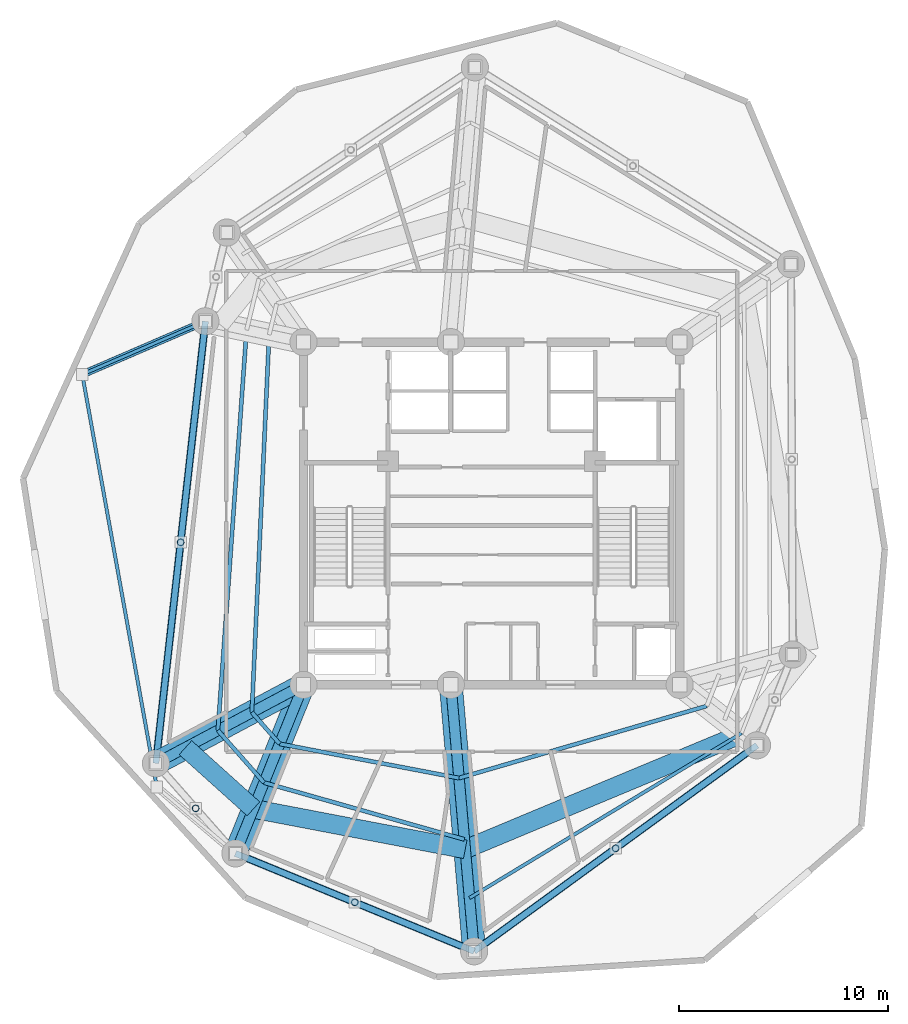
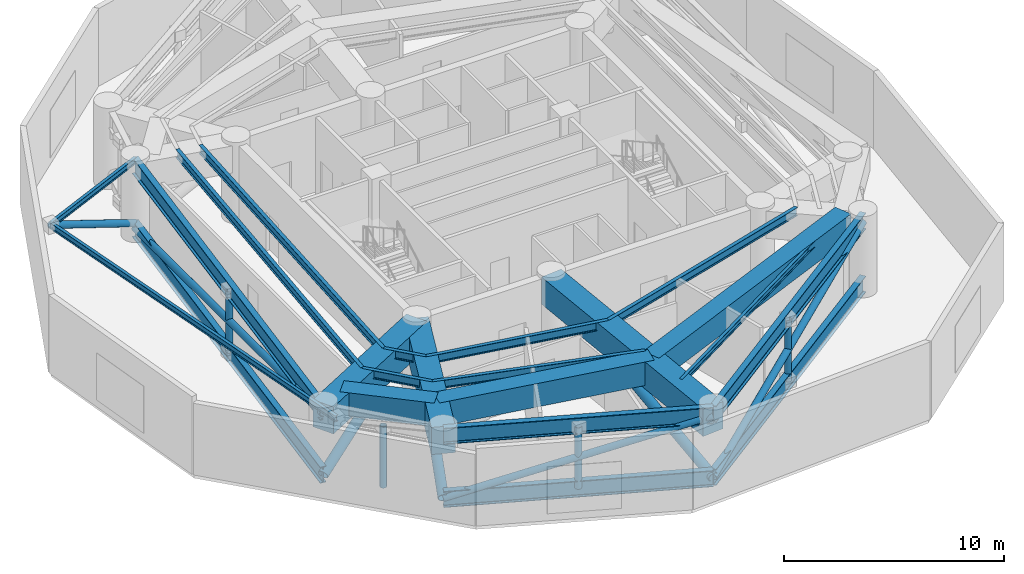
# One storey, part 2 of 11: 19 beams, 14 members.
"""IFC4 building model written with IfcOpenShell, lengths in metres."""

from ifc_helpers import new_model, si_unit, direction, frame, origin, origin_with_axes, origin_2d, place, context, subcontext, project, spatial, rectangle, hollow_circle, i_section, extrude, source, transform, mapped, material, material_profile, profile_set, type_object, element, save


model = new_model("IFC4")

# Units and contexts
model_context = context("Model", 3, precision=1e-05, world=origin(), true_north=direction((0.0, 1.0)))
body_context = subcontext(model_context, "Body", "Model", "MODEL_VIEW")
ifc_project = project(units=[si_unit("LENGTHUNIT", "METRE"), si_unit("AREAUNIT", "SQUARE_METRE"), si_unit("VOLUMEUNIT", "CUBIC_METRE"), si_unit("PLANEANGLEUNIT", "RADIAN"), si_unit("MASSUNIT", "GRAM", prefix="KILO")], contexts=[model_context])

# Site, building, storey
site_placement = place(None, origin())
site = spatial("IfcSite", under=ifc_project, at=site_placement, CompositionType="ELEMENT")
building_placement = place(site_placement, origin())
building = spatial("IfcBuilding", under=site, at=building_placement, Name="Karkom Vertical University and Central Library", CompositionType="ELEMENT")
storey_placement = place(building_placement, frame((0.0, 0.0, 208.39990234375)))
storey = spatial("IfcBuildingStorey", under=building, at=storey_placement, Name="P61", CompositionType="ELEMENT", Elevation=208.39990234375)

# Beams
ifc_material_1 = material(Name="Steel S355", Category="steel")
ifc_material_profile_1 = material_profile(ifc_material_1, i_section(OverallWidth=0.18994140625, OverallDepth=0.449951171875, WebThickness=0.009521484375, FlangeThickness=0.0146484375, FilletRadius=0.02099609375, at=origin_2d()), Name="IPE 450")
ifc_profile_set_1 = profile_set([ifc_material_profile_1], Name="Steel S355")
beam_type_1 = type_object("IfcBeamType", Name="STR-BM-SB-IPE450", PredefinedType="BEAM", material=ifc_profile_set_1)
shared_shape_1 = source(origin_with_axes(), body_context, "Body", "SweptSolid", [
    extrude(i_section(OverallWidth=0.18994140625, OverallDepth=0.449951171875, WebThickness=0.009521484375, FlangeThickness=0.0146484375, FilletRadius=0.02099609375, at=origin_2d()), origin(), (0.0, 0.0, 1.0), 18.0830078125),
])
beam_1_placement = place(storey_placement, frame((17.856689453125, 35.04931640625, 4.0751953125), z_axis=(-0.04584982532, -0.998948343769, 0.0), x_axis=(0.998948343769, -0.04584982532, 0.0)))
element("IfcBeam", 1, at=beam_1_placement, inside=storey, type_object=beam_type_1, Name="Plant Level 61 Secondary Composite Floor Beam 1.05", PredefinedType="BEAM", context=body_context, shape_type="MappedRepresentation", body=[
    mapped(shared_shape_1, transform((0.0, 0.0, 0.0), scale=1.0)),
])
shared_shape_2 = source(origin_with_axes(), body_context, "Body", "SweptSolid", [
    extrude(i_section(OverallWidth=0.18994140625, OverallDepth=0.449951171875, WebThickness=0.009521484375, FlangeThickness=0.0146484375, FilletRadius=0.02099609375, at=origin_2d()), origin(), (0.0, 0.0, 1.0), 2.01220703125),
])
beam_2_placement = place(storey_placement, frame((17.027587890625, 16.9853515625, 4.0751953125), z_axis=(0.661822246424, -0.749660799387, 0.0), x_axis=(0.749660799387, 0.661822246424, 0.0)))
element("IfcBeam", 2, at=beam_2_placement, inside=storey, type_object=beam_type_1, Name="Plant Level 61 Secondary Composite Floor Beam 1.06", PredefinedType="BEAM", context=body_context, shape_type="MappedRepresentation", body=[
    mapped(shared_shape_2, transform((0.0, 0.0, 0.0), scale=1.0)),
])
shared_shape_3 = source(origin_with_axes(), body_context, "Body", "SweptSolid", [
    extrude(i_section(OverallWidth=0.18994140625, OverallDepth=0.449951171875, WebThickness=0.009521484375, FlangeThickness=0.0146484375, FilletRadius=0.02099609375, at=origin_2d()), origin(), (0.0, 0.0, 1.0), 8.736572265625),
])
beam_3_placement = place(storey_placement, frame((18.359375, 15.476806640625, 4.0751953125), z_axis=(0.982230782932, -0.187677087205, 0.0), x_axis=(0.187677087205, 0.982230782932, 0.0)))
element("IfcBeam", 3, at=beam_3_placement, inside=storey, type_object=beam_type_1, Name="Plant Level 61 Secondary Composite Floor Beam 1.07", PredefinedType="BEAM", context=body_context, shape_type="MappedRepresentation", body=[
    mapped(shared_shape_3, transform((0.0, 0.0, 0.0), scale=1.0)),
])
shared_shape_4 = source(origin_with_axes(), body_context, "Body", "SweptSolid", [
    extrude(i_section(OverallWidth=0.18994140625, OverallDepth=0.449951171875, WebThickness=0.009521484375, FlangeThickness=0.0146484375, FilletRadius=0.02099609375, at=origin_2d()), origin(), (0.0, 0.0, 1.0), 12.347412109375),
])
beam_4_placement = place(storey_placement, frame((26.940673828125, 13.837158203125, 4.0751953125), z_axis=(0.960173212987, 0.279405442077, 0.0), x_axis=(-0.279405442077, 0.960173212987, 0.0)))
element("IfcBeam", 4, at=beam_4_placement, inside=storey, type_object=beam_type_1, Name="Plant Level 61 Secondary Composite Floor Beam 1.08", PredefinedType="BEAM", context=body_context, shape_type="MappedRepresentation", body=[
    mapped(shared_shape_4, transform((0.0, 0.0, 0.0), scale=1.0)),
])
shared_shape_5 = source(origin_with_axes(), body_context, "Body", "SweptSolid", [
    extrude(i_section(OverallWidth=0.18994140625, OverallDepth=0.449951171875, WebThickness=0.009521484375, FlangeThickness=0.0146484375, FilletRadius=0.02099609375, at=origin_2d()), origin(), (0.0, 0.0, 1.0), 19.20654296875),
])
beam_5_placement = place(storey_placement, frame((16.77685546875, 35.27880859375, 4.0751953125), z_axis=(-0.071539731632, -0.997437750839, 0.0), x_axis=(0.997437750839, -0.071539731632, 0.0)))
element("IfcBeam", 5, at=beam_5_placement, inside=storey, type_object=beam_type_1, Name="Plant Level 61 Secondary Composite Floor Beam 2.05", PredefinedType="BEAM", context=body_context, shape_type="MappedRepresentation", body=[
    mapped(shared_shape_5, transform((0.0, 0.0, 0.0), scale=1.0)),
])
shared_shape_6 = source(origin_with_axes(), body_context, "Body", "SweptSolid", [
    extrude(i_section(OverallWidth=0.18994140625, OverallDepth=0.449951171875, WebThickness=0.009521484375, FlangeThickness=0.0146484375, FilletRadius=0.02099609375, at=origin_2d()), origin(), (0.0, 0.0, 1.0), 3.334716796875),
])
beam_6_placement = place(storey_placement, frame((15.40283203125, 16.12158203125, 4.0751953125), z_axis=(0.661815321502, -0.749666912852, 0.0), x_axis=(0.749666912852, 0.661815321502, 0.0)))
element("IfcBeam", 6, at=beam_6_placement, inside=storey, type_object=beam_type_1, Name="Plant Level 61 Secondary Composite Floor Beam 2.06", PredefinedType="BEAM", context=body_context, shape_type="MappedRepresentation", body=[
    mapped(shared_shape_6, transform((0.0, 0.0, 0.0), scale=1.0)),
])
shared_shape_7 = source(origin_with_axes(), body_context, "Body", "SweptSolid", [
    extrude(i_section(OverallWidth=0.18994140625, OverallDepth=0.449951171875, WebThickness=0.009521484375, FlangeThickness=0.0146484375, FilletRadius=0.02099609375, at=origin_2d()), origin(), (0.0, 0.0, 1.0), 9.965087890625),
])
beam_7_placement = place(storey_placement, frame((17.60986328125, 13.62158203125, 4.0751953125), z_axis=(0.962104232935, -0.272681948372, 0.0), x_axis=(0.272681948372, 0.962104232935, 0.0)))
element("IfcBeam", 7, at=beam_7_placement, inside=storey, type_object=beam_type_1, Name="Plant Level 61 Secondary Composite Floor Beam 2.07", PredefinedType="BEAM", context=body_context, shape_type="MappedRepresentation", body=[
    mapped(shared_shape_7, transform((0.0, 0.0, 0.0), scale=1.0)),
])
ifc_material_profile_2 = material_profile(ifc_material_1, i_section(OverallWidth=0.159912109375, OverallDepth=0.330078125, WebThickness=0.007568359375, FlangeThickness=0.011474609375, FilletRadius=0.01806640625, at=origin_2d()), Name="IPE 330")
ifc_profile_set_2 = profile_set([ifc_material_profile_2], Name="Steel S355")
beam_type_2 = type_object("IfcBeamType", Name="STR-BM-SB-IPE330", PredefinedType="BEAM", material=ifc_profile_set_2)
shared_shape_8 = source(origin_with_axes(), body_context, "Body", "SweptSolid", [
    extrude(i_section(OverallWidth=0.159912109375, OverallDepth=0.330078125, WebThickness=0.007568359375, FlangeThickness=0.011474609375, FilletRadius=0.01806640625, at=origin_2d()), origin(), (0.0, 0.0, 1.0), 15.22216796875),
])
beam_8_placement = place(storey_placement, frame((27.44287109375, 8.09912109375, 4.135009765625), z_axis=(0.855352900974, 0.518045765155, 0.0), x_axis=(-0.518045765155, 0.855352900974, 0.0)))
element("IfcBeam", 8, at=beam_8_placement, inside=storey, type_object=beam_type_2, Name="Plant Level 61 Secondary Composite Floor Beam 3.08", PredefinedType="BEAM", context=body_context, shape_type="MappedRepresentation", body=[
    mapped(shared_shape_8, transform((0.0, 0.0, 0.0), scale=1.0)),
])
ifc_material_2 = material(Name="Concrete C50/60", Category="concrete")
ifc_material_profile_3 = material_profile(ifc_material_2, rectangle(XDim=1.10009765625, YDim=1.5, at=origin_2d()), Name="TG-1100x1500")
ifc_profile_set_3 = profile_set([ifc_material_profile_3], Name="Concrete C50/60")
beam_type_3 = type_object("IfcBeamType", Name="STR-BM-TG-1", PredefinedType="USERDEFINED", material=ifc_profile_set_3)
shared_shape_9 = source(origin_with_axes(), body_context, "Body", "SweptSolid", [
    extrude(rectangle(XDim=1.10009765625, YDim=1.5, at=origin_2d()), origin(), (0.0, 0.0, 1.0), 8.00048828125),
])
beam_9_placement = place(storey_placement, frame((19.5, 18.300048828125, 3.550048828125), z_axis=(-0.882941023922, -0.46948391695, 0.0), x_axis=(0.46948391695, -0.882941023922, 0.0)))
element("IfcBeam", 9, at=beam_9_placement, inside=storey, type_object=beam_type_3, Name="Plant Level 61 Radial Frame Girder 06", ObjectType="GIRDER", PredefinedType="USERDEFINED", context=body_context, shape_type="MappedRepresentation", body=[
    mapped(shared_shape_9, transform((0.0, 0.0, 0.0), scale=1.0)),
])
shared_shape_10 = source(origin_with_axes(), body_context, "Body", "SweptSolid", [
    extrude(rectangle(XDim=1.10009765625, YDim=1.5, at=origin_2d()), origin(), (0.0, 0.0, 1.0), 8.69970703125),
])
beam_10_placement = place(storey_placement, frame((19.5, 18.300048828125, 3.550048828125), z_axis=(-0.374615701214, -0.927180174725, 0.0), x_axis=(0.927180174725, -0.374615701214, 0.0)))
element("IfcBeam", 10, at=beam_10_placement, inside=storey, type_object=beam_type_3, Name="Plant Level 61 Radial Frame Girder 07", ObjectType="GIRDER", PredefinedType="USERDEFINED", context=body_context, shape_type="MappedRepresentation", body=[
    mapped(shared_shape_10, transform((0.0, 0.0, 0.0), scale=1.0)),
])
shared_shape_11 = source(origin_with_axes(), body_context, "Body", "SweptSolid", [
    extrude(rectangle(XDim=1.10009765625, YDim=1.5, at=origin_2d()), origin(), (0.0, 0.0, 1.0), 12.7998046875),
])
beam_11_placement = place(storey_placement, frame((26.550048828125, 18.300048828125, 3.550048828125), z_axis=(0.087186825694, -0.996191978198, 0.0), x_axis=(0.996191978198, 0.087186825694, 0.0)))
element("IfcBeam", 11, at=beam_11_placement, inside=storey, type_object=beam_type_3, Name="Plant Level 61 Radial Frame Girder 08", ObjectType="GIRDER", PredefinedType="USERDEFINED", context=body_context, shape_type="MappedRepresentation", body=[
    mapped(shared_shape_11, transform((0.0, 0.0, 0.0), scale=1.0)),
])
ifc_material_3 = material(Name="Steel S460", Category="steel")
ifc_material_profile_4 = material_profile(ifc_material_3, i_section(OverallWidth=0.300048828125, OverallDepth=0.89990234375, WebThickness=0.0185546875, FlangeThickness=0.034912109375, FilletRadius=0.030029296875, at=origin_2d()), Name="HE 900 B")
ifc_profile_set_4 = profile_set([ifc_material_profile_4], Name="Steel S460")
beam_type_4 = type_object("IfcBeamType", Name="STR-BM-SB-HE900", PredefinedType="USERDEFINED", material=ifc_profile_set_4)
shared_shape_12 = source(origin_with_axes(), body_context, "Body", "SweptSolid", [
    extrude(i_section(OverallWidth=0.300048828125, OverallDepth=0.89990234375, WebThickness=0.0185546875, FlangeThickness=0.034912109375, FilletRadius=0.030029296875, at=origin_2d()), origin(), (0.0, 0.0, 1.0), 21.286376953125),
])
beam_12_placement = place(storey_placement, frame((14.804931640625, 35.697998046875, 3.85009765625), z_axis=(-0.111287493264, -0.993788254028, 0.0), x_axis=(0.993788254028, -0.111287493264, 0.0)))
element("IfcBeam", 12, at=beam_12_placement, inside=storey, type_object=beam_type_4, Name="Plant Level 61 Perimeter Spandrel Beam 05", ObjectType="GIRDER", PredefinedType="USERDEFINED", context=body_context, shape_type="MappedRepresentation", body=[
    mapped(shared_shape_12, transform((0.0, 0.0, 0.0), scale=1.0)),
])
shared_shape_13 = source(origin_with_axes(), body_context, "Body", "SweptSolid", [
    extrude(i_section(OverallWidth=0.300048828125, OverallDepth=0.89990234375, WebThickness=0.0185546875, FlangeThickness=0.034912109375, FilletRadius=0.030029296875, at=origin_2d()), origin(), (0.0, 0.0, 1.0), 12.34814453125),
])
beam_13_placement = place(storey_placement, frame((16.240966796875, 10.23388671875, 3.85009765625), z_axis=(0.925236428984, -0.37939102583, 0.0), x_axis=(0.37939102583, 0.925236428984, 0.0)))
element("IfcBeam", 13, at=beam_13_placement, inside=storey, type_object=beam_type_4, Name="Plant Level 61 Perimeter Spandrel Beam 07", ObjectType="GIRDER", PredefinedType="USERDEFINED", context=body_context, shape_type="MappedRepresentation", body=[
    mapped(shared_shape_13, transform((0.0, 0.0, 0.0), scale=1.0)),
])
shared_shape_14 = source(origin_with_axes(), body_context, "Body", "SweptSolid", [
    extrude(i_section(OverallWidth=0.300048828125, OverallDepth=0.89990234375, WebThickness=0.0185546875, FlangeThickness=0.034912109375, FilletRadius=0.030029296875, at=origin_2d()), origin(), (0.0, 0.0, 1.0), 16.746337890625),
])
beam_14_placement = place(storey_placement, frame((27.666015625, 5.549072265625, 3.85009765625), z_axis=(0.808422013284, 0.588603303115, 0.0), x_axis=(-0.588603303115, 0.808422013284, 0.0)))
element("IfcBeam", 14, at=beam_14_placement, inside=storey, type_object=beam_type_4, Name="Plant Level 61 Perimeter Spandrel Beam 08", ObjectType="GIRDER", PredefinedType="USERDEFINED", context=body_context, shape_type="MappedRepresentation", body=[
    mapped(shared_shape_14, transform((0.0, 0.0, 0.0), scale=1.0)),
])
ifc_material_profile_5 = material_profile(ifc_material_2, rectangle(XDim=0.89990234375, YDim=1.300048828125, at=origin_2d()), Name="TG-900x1300")
ifc_profile_set_5 = profile_set([ifc_material_profile_5], Name="Concrete C50/60")
beam_type_5 = type_object("IfcBeamType", Name="STR-BM-TG-3", PredefinedType="USERDEFINED", material=ifc_profile_set_5)
shared_shape_15 = source(origin_with_axes(), body_context, "Body", "SweptSolid", [
    extrude(rectangle(XDim=0.89990234375, YDim=1.300048828125, at=origin_2d()), origin(), (0.0, 0.0, 1.0), 4.3779296875),
])
beam_15_placement = place(storey_placement, frame((13.84912109375, 15.294921875, 3.650146484375), z_axis=(0.743244232405, -0.669020187287, 0.0), x_axis=(0.669020187287, 0.743244232405, 0.0)))
element("IfcBeam", 15, at=beam_15_placement, inside=storey, type_object=beam_type_5, Name="Plant Level 61 Upper Column Transfer Ring 06", ObjectType="GIRDER", PredefinedType="USERDEFINED", context=body_context, shape_type="MappedRepresentation", body=[
    mapped(shared_shape_15, transform((0.0, 0.0, 0.0), scale=1.0)),
])
shared_shape_16 = source(origin_with_axes(), body_context, "Body", "SweptSolid", [
    extrude(rectangle(XDim=0.89990234375, YDim=1.300048828125, at=origin_2d()), origin(), (0.0, 0.0, 1.0), 10.3193359375),
])
beam_16_placement = place(storey_placement, frame((17.10302734375, 12.365966796875, 3.650146484375), z_axis=(0.982242767385, -0.187614354249, 0.0), x_axis=(0.187614354249, 0.982242767385, 0.0)))
element("IfcBeam", 16, at=beam_16_placement, inside=storey, type_object=beam_type_5, Name="Plant Level 61 Upper Column Transfer Ring 07", ObjectType="GIRDER", PredefinedType="USERDEFINED", context=body_context, shape_type="MappedRepresentation", body=[
    mapped(shared_shape_16, transform((0.0, 0.0, 0.0), scale=1.0)),
])
shared_shape_17 = source(origin_with_axes(), body_context, "Body", "SweptSolid", [
    extrude(rectangle(XDim=0.89990234375, YDim=1.300048828125, at=origin_2d()), origin(), (0.0, 0.0, 1.0), 14.3623046875),
])
beam_17_placement = place(storey_placement, frame((27.239013671875, 10.429931640625, 3.650146484375), z_axis=(0.922899796194, 0.385040213725, 0.0), x_axis=(-0.385040213725, 0.922899796194, 0.0)))
element("IfcBeam", 17, at=beam_17_placement, inside=storey, type_object=beam_type_5, Name="Plant Level 61 Upper Column Transfer Ring 08", ObjectType="GIRDER", PredefinedType="USERDEFINED", context=body_context, shape_type="MappedRepresentation", body=[
    mapped(shared_shape_17, transform((0.0, 0.0, 0.0), scale=1.0)),
])
shared_shape_18 = source(origin_with_axes(), body_context, "Body", "SweptSolid", [
    extrude(i_section(OverallWidth=0.159912109375, OverallDepth=0.330078125, WebThickness=0.007568359375, FlangeThickness=0.011474609375, FilletRadius=0.01806640625, at=origin_2d()), origin(), (0.0, 0.0, 1.0), 6.417724609375),
])
beam_18_placement = place(storey_placement, frame((14.804931640625, 35.697998046875, 4.135009765625), z_axis=(-0.918049451817, -0.39646589263, 0.0), x_axis=(0.39646589263, -0.918049451817, 0.0)))
element("IfcBeam", 18, at=beam_18_placement, inside=storey, type_object=beam_type_2, Name="Plant Level 61 Sky Garden Outrigger Support Beam 1", PredefinedType="BEAM", context=body_context, shape_type="MappedRepresentation", body=[
    mapped(shared_shape_18, transform((0.0, 0.0, 0.0), scale=1.0)),
])

# Member
ifc_material_profile_6 = material_profile(ifc_material_1, hollow_circle(Radius=0.177734375, WallThickness=0.01611328125, at=origin_2d()), Name="CHS 355.6x16")
ifc_profile_set_6 = profile_set([ifc_material_profile_6], Name="Steel S355")
member_type_1 = type_object("IfcMemberType", Name="STR-MEM-BR-3", PredefinedType="BRACE", material=ifc_profile_set_6)
shared_shape_19 = source(origin_with_axes(), body_context, "Body", "SweptSolid", [
    extrude(hollow_circle(Radius=0.177734375, WallThickness=0.01611328125, at=origin_2d()), origin(), (0.0, 0.0, 1.0), 7.3125),
])
member_1_placement = place(storey_placement, frame((14.804931640625, 35.697998046875, 0.630126953125), z_axis=(-0.805725989757, -0.347958242459, 0.479302295983), x_axis=(0.39646589263, -0.918049451817, 0.0)))
element("IfcMember", 19, at=member_1_placement, inside=storey, type_object=member_type_1, Name="Plant Level 61 Sky Garden Knee Strut Brace 1", PredefinedType="BRACE", context=body_context, shape_type="MappedRepresentation", body=[
    mapped(shared_shape_19, transform((0.0, 0.0, 0.0), scale=1.0)),
])

# Beam
shared_shape_20 = source(origin_with_axes(), body_context, "Body", "SweptSolid", [
    extrude(i_section(OverallWidth=0.159912109375, OverallDepth=0.330078125, WebThickness=0.007568359375, FlangeThickness=0.011474609375, FilletRadius=0.01806640625, at=origin_2d()), origin(), (0.0, 0.0, 1.0), 20.059326171875),
])
beam_19_placement = place(storey_placement, frame((8.9130859375, 33.153564453125, 4.135009765625), z_axis=(0.177769293188, -0.984072191661, 0.0), x_axis=(0.984072191661, 0.177769293188, 0.0)))
element("IfcBeam", 20, at=beam_19_placement, inside=storey, type_object=beam_type_2, Name="Plant Level 61 Sky Garden Perimeter Edge Beam", PredefinedType="BEAM", context=body_context, shape_type="MappedRepresentation", body=[
    mapped(shared_shape_20, transform((0.0, 0.0, 0.0), scale=1.0)),
])

# Members
ifc_material_profile_7 = material_profile(ifc_material_1, hollow_circle(Radius=0.161865234375, WallThickness=0.01611328125, at=origin_2d()), Name="CHS 323.9x16")
ifc_profile_set_7 = profile_set([ifc_material_profile_7], Name="Steel S355")
member_type_2 = type_object("IfcMemberType", Name="STR-MEM-PT-1", PredefinedType="POST", material=ifc_profile_set_7)
shared_shape_21 = source(origin_with_axes(), body_context, "Body", "SweptSolid", [
    extrude(hollow_circle(Radius=0.161865234375, WallThickness=0.01611328125, at=origin_2d()), origin(), (0.0, 0.0, 1.0), 3.39990234375),
])
for number, where, z_axis, x_axis, name in (
    (21, (13.62060546875, 25.12109375, 0.35009765625), (0.0, 0.0, 1.0), (1.0, 0.0, 0.0), "Plant Level 61 Belt Truss Web Post 05"),
    (22, (14.33837890625, 12.388916015625, 0.35009765625), (0.0, 0.0, 1.0), (1.0, 0.0, 0.0), "Plant Level 61 Belt Truss Web Post 06"),
    (23, (21.95361328125, 7.8916015625, 0.35009765625), (0.0, 0.0, 1.0), (1.0, 0.0, 0.0), "Plant Level 61 Belt Truss Web Post 07"),
    (24, (34.43505859375, 10.4775390625, 0.35009765625), (0.0, 0.0, 1.0), (1.0, 0.0, 0.0), "Plant Level 61 Belt Truss Web Post 08"),
):
    element("IfcMember", number, at=place(storey_placement, frame(where, z_axis=z_axis, x_axis=x_axis)), inside=storey, type_object=member_type_2, Name=name, PredefinedType="POST", context=body_context, shape_type="MappedRepresentation", body=[
        mapped(shared_shape_21, transform((0.0, 0.0, 0.0), scale=1.0)),
    ])
shared_shape_22 = source(origin_with_axes(), body_context, "Body", "SweptSolid", [
    extrude(hollow_circle(Radius=0.177734375, WallThickness=0.01611328125, at=origin_2d()), origin(), (0.0, 0.0, 1.0), 21.55615234375),
])
member_2_placement = place(storey_placement, frame((14.804931640625, 35.697998046875, 0.35009765625), z_axis=(-0.10989454227, -0.981349315067, 0.157723528358), x_axis=(0.993788254028, -0.111287493264, 0.0)))
element("IfcMember", 25, at=member_2_placement, inside=storey, type_object=member_type_1, Name="Plant Level 61 Belt Truss Diagonal Brace 05", PredefinedType="BRACE", context=body_context, shape_type="MappedRepresentation", body=[
    mapped(shared_shape_22, transform((0.0, 0.0, 0.0), scale=1.0)),
])
ifc_material_profile_8 = material_profile(ifc_material_3, i_section(OverallWidth=0.300048828125, OverallDepth=0.89990234375, WebThickness=0.0185546875, FlangeThickness=0.034912109375, FilletRadius=0.030029296875, at=origin_2d()), Name="HE 900 B")
ifc_profile_set_8 = profile_set([ifc_material_profile_8], Name="Steel S460")
member_type_3 = type_object("IfcMemberType", Name="STR-MEM-CH-1", PredefinedType="CHORD", material=ifc_profile_set_8)
shared_shape_23 = source(origin_with_axes(), body_context, "Body", "SweptSolid", [
    extrude(i_section(OverallWidth=0.300048828125, OverallDepth=0.89990234375, WebThickness=0.0185546875, FlangeThickness=0.034912109375, FilletRadius=0.030029296875, at=origin_2d()), origin(), (0.0, 0.0, 1.0), 21.286376953125),
])
member_3_placement = place(storey_placement, frame((14.804931640625, 35.697998046875, 0.35009765625), z_axis=(-0.111287493264, -0.993788254028, 0.0), x_axis=(0.993788254028, -0.111287493264, 0.0)))
element("IfcMember", 26, at=member_3_placement, inside=storey, type_object=member_type_3, Name="Plant Level 61 Belt Truss Bottom Chord 05", PredefinedType="CHORD", context=body_context, shape_type="MappedRepresentation", body=[
    mapped(shared_shape_23, transform((0.0, 0.0, 0.0), scale=1.0)),
])
shared_shape_24 = source(origin_with_axes(), body_context, "Body", "SweptSolid", [
    extrude(hollow_circle(Radius=0.177734375, WallThickness=0.01611328125, at=origin_2d()), origin(), (0.0, 0.0, 1.0), 12.807861328125),
])
member_4_placement = place(storey_placement, frame((16.240966796875, 10.23388671875, 0.35009765625), z_axis=(0.892041555995, -0.365779546082, 0.265456561506), x_axis=(0.37939102583, 0.925236428984, 0.0)))
element("IfcMember", 27, at=member_4_placement, inside=storey, type_object=member_type_1, Name="Plant Level 61 Belt Truss Diagonal Brace 07", PredefinedType="BRACE", context=body_context, shape_type="MappedRepresentation", body=[
    mapped(shared_shape_24, transform((0.0, 0.0, 0.0), scale=1.0)),
])
shared_shape_25 = source(origin_with_axes(), body_context, "Body", "SweptSolid", [
    extrude(i_section(OverallWidth=0.300048828125, OverallDepth=0.89990234375, WebThickness=0.0185546875, FlangeThickness=0.034912109375, FilletRadius=0.030029296875, at=origin_2d()), origin(), (0.0, 0.0, 1.0), 12.34814453125),
])
member_5_placement = place(storey_placement, frame((16.240966796875, 10.23388671875, 0.35009765625), z_axis=(0.925236428984, -0.37939102583, 0.0), x_axis=(0.37939102583, 0.925236428984, 0.0)))
element("IfcMember", 28, at=member_5_placement, inside=storey, type_object=member_type_3, Name="Plant Level 61 Belt Truss Bottom Chord 07", PredefinedType="CHORD", context=body_context, shape_type="MappedRepresentation", body=[
    mapped(shared_shape_25, transform((0.0, 0.0, 0.0), scale=1.0)),
])
shared_shape_26 = source(origin_with_axes(), body_context, "Body", "SweptSolid", [
    extrude(hollow_circle(Radius=0.177734375, WallThickness=0.01611328125, at=origin_2d()), origin(), (0.0, 0.0, 1.0), 17.087890625),
])
member_6_placement = place(storey_placement, frame((27.666015625, 5.549072265625, 0.35009765625), z_axis=(0.792258933067, 0.576835139646, 0.198964832682), x_axis=(-0.588603303115, 0.808422013284, 0.0)))
element("IfcMember", 29, at=member_6_placement, inside=storey, type_object=member_type_1, Name="Plant Level 61 Belt Truss Diagonal Brace 08", PredefinedType="BRACE", context=body_context, shape_type="MappedRepresentation", body=[
    mapped(shared_shape_26, transform((0.0, 0.0, 0.0), scale=1.0)),
])
shared_shape_27 = source(origin_with_axes(), body_context, "Body", "SweptSolid", [
    extrude(i_section(OverallWidth=0.300048828125, OverallDepth=0.89990234375, WebThickness=0.0185546875, FlangeThickness=0.034912109375, FilletRadius=0.030029296875, at=origin_2d()), origin(), (0.0, 0.0, 1.0), 16.746337890625),
])
member_7_placement = place(storey_placement, frame((27.666015625, 5.549072265625, 0.35009765625), z_axis=(0.808422013284, 0.588603303115, 0.0), x_axis=(-0.588603303115, 0.808422013284, 0.0)))
element("IfcMember", 30, at=member_7_placement, inside=storey, type_object=member_type_3, Name="Plant Level 61 Belt Truss Bottom Chord 08", PredefinedType="CHORD", context=body_context, shape_type="MappedRepresentation", body=[
    mapped(shared_shape_27, transform((0.0, 0.0, 0.0), scale=1.0)),
])
ifc_material_profile_9 = material_profile(ifc_material_3, hollow_circle(Radius=0.25390625, WallThickness=0.02490234375, at=origin_2d()), Name="CHS 508x25")
ifc_profile_set_9 = profile_set([ifc_material_profile_9], Name="Steel S460")
member_type_4 = type_object("IfcMemberType", Name="STR-MEM-BR-1", PredefinedType="BRACE", material=ifc_profile_set_9)
shared_shape_28 = source(origin_with_axes(), body_context, "Body", "SweptSolid", [
    extrude(hollow_circle(Radius=0.25390625, WallThickness=0.02490234375, at=origin_2d()), origin(), (0.0, 0.0, 1.0), 8.69287109375),
])
member_8_placement = place(storey_placement, frame((19.5, 18.300048828125, 3.75), z_axis=(-0.812609178506, -0.432086549088, -0.391110645603), x_axis=(0.46948391695, -0.882941023922, 0.0)))
element("IfcMember", 31, at=member_8_placement, inside=storey, type_object=member_type_4, Name="Plant Level 61 Outrigger Truss Diagonal 06", PredefinedType="BRACE", context=body_context, shape_type="MappedRepresentation", body=[
    mapped(shared_shape_28, transform((0.0, 0.0, 0.0), scale=1.0)),
])
shared_shape_29 = source(origin_with_axes(), body_context, "Body", "SweptSolid", [
    extrude(hollow_circle(Radius=0.25390625, WallThickness=0.02490234375, at=origin_2d()), origin(), (0.0, 0.0, 1.0), 9.34033203125),
])
member_9_placement = place(storey_placement, frame((19.5, 18.300048828125, 3.75), z_axis=(-0.348916883583, -0.86357516793, -0.363998540773), x_axis=(0.927180174725, -0.374615701214, 0.0)))
element("IfcMember", 32, at=member_9_placement, inside=storey, type_object=member_type_4, Name="Plant Level 61 Outrigger Truss Diagonal 07", PredefinedType="BRACE", context=body_context, shape_type="MappedRepresentation", body=[
    mapped(shared_shape_29, transform((0.0, 0.0, 0.0), scale=1.0)),
])
shared_shape_30 = source(origin_with_axes(), body_context, "Body", "SweptSolid", [
    extrude(hollow_circle(Radius=0.25390625, WallThickness=0.02490234375, at=origin_2d()), origin(), (0.0, 0.0, 1.0), 13.24365234375),
])
member_10_placement = place(storey_placement, frame((26.550048828125, 18.300048828125, 3.75), z_axis=(0.084264807531, -0.962805155924, -0.256721004086), x_axis=(0.996191978198, 0.087186825694, 0.0)))
element("IfcMember", 33, at=member_10_placement, inside=storey, type_object=member_type_4, Name="Plant Level 61 Outrigger Truss Diagonal 08", PredefinedType="BRACE", context=body_context, shape_type="MappedRepresentation", body=[
    mapped(shared_shape_30, transform((0.0, 0.0, 0.0), scale=1.0)),
])

save(model, "model.ifc")
